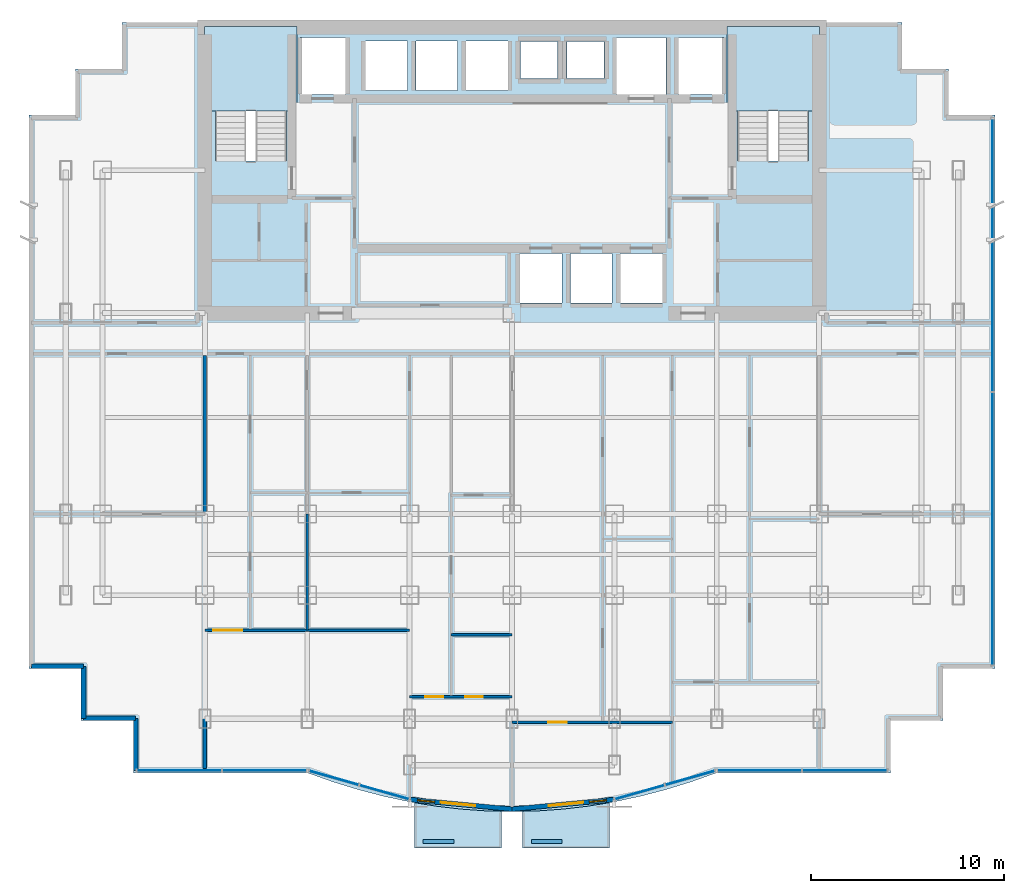
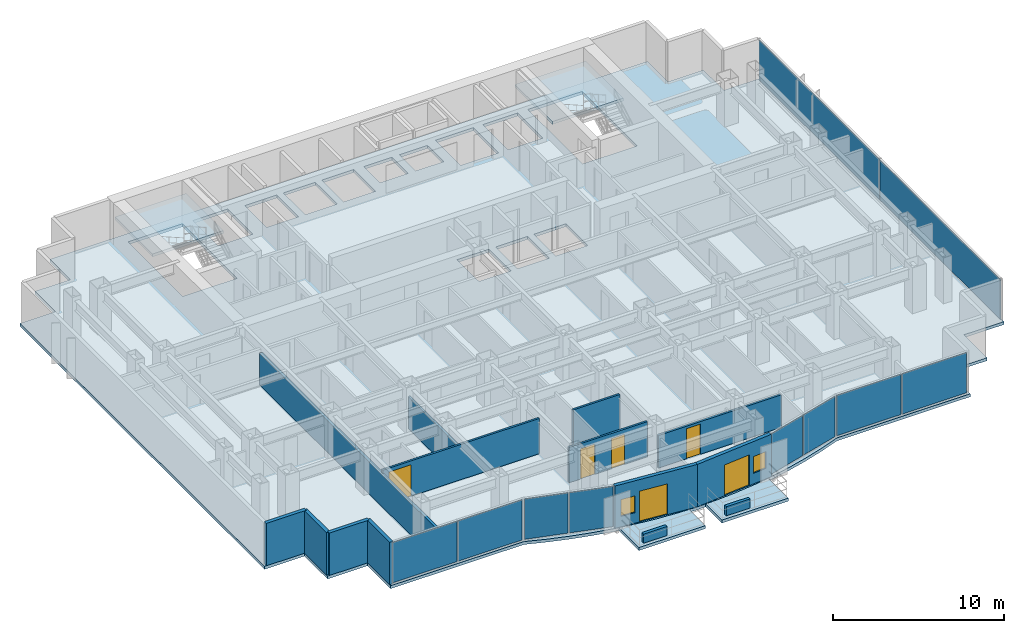
# One storey, part 6 of 11: 14 walls, 10 plates, 6 doors, 5 slabs, 2 windows, 8 openings, 7 elements without a shape of their own.
"""IFC4 building model written with IfcOpenShell, lengths in metres."""

from ifc_helpers import new_model, si_unit, direction, frame, frame_2d, origin, origin_2d, place, context, subcontext, project, spatial, polyline, rectangle, outline, extrude, source, transform, mapped, material, layer, layer_set, type_object, element, fill, aggregate, save


model = new_model("IFC4")

# Units and contexts
model_context = context("Model", 3, precision=1e-05, world=origin(), true_north=direction((0.0, 1.0)))
body_context = subcontext(model_context, "Body", "Model", "MODEL_VIEW")
ifc_project = project(units=[si_unit("LENGTHUNIT", "METRE"), si_unit("AREAUNIT", "SQUARE_METRE"), si_unit("VOLUMEUNIT", "CUBIC_METRE"), si_unit("PLANEANGLEUNIT", "RADIAN"), si_unit("MASSUNIT", "GRAM", prefix="KILO")], contexts=[model_context])

# Site, building, storey
site_placement = place(None, origin())
site = spatial("IfcSite", under=ifc_project, at=site_placement, CompositionType="ELEMENT")
building_placement = place(site_placement, origin())
building = spatial("IfcBuilding", under=site, at=building_placement, Name="Qianlan Lanfeng Residences", CompositionType="ELEMENT")
storey_placement = place(building_placement, frame((0.0, 0.0, 124.60009765625)))
storey = spatial("IfcBuildingStorey", under=building, at=storey_placement, Name="L34", CompositionType="ELEMENT", Elevation=124.60009765625)

# Slabs
ifc_material_1 = material(Name="Concrete C42", Category="concrete")
ifc_layer_1 = layer(ifc_material_1, 0.2099609375)
ifc_layer_set_1 = layer_set([ifc_layer_1], Name="Concrete C42")
slab_type_1 = type_object("IfcSlabType", Name="S-BAL-210", PredefinedType="FLOOR", material=ifc_layer_set_1)
slab_1_placement = place(storey_placement, frame((0.0, 0.0, -0.210205078125)))
element("IfcSlab", 1, at=slab_1_placement, inside=storey, type_object=slab_type_1, Name="L34 Planted Tree Balcony Slab SB-W", PredefinedType="FLOOR", context=body_context, shape_type="SweptSolid", body=[
    extrude(outline(polyline([(25.949951171875, -0.5869140625), (25.177001953125, -0.569091796875), (23.85498046875, -0.47509765625), (22.531982421875, -0.319091796875), (21.449951171875, -0.139892578125), (21.449951171875, -2.5), (25.949951171875, -2.5), (25.949951171875, -0.5869140625)])), origin(), (0.0, 0.0, 1.0), 0.210205078125),
])
slab_2_placement = place(storey_placement, frame((0.0, 0.0, -0.210205078125)))
element("IfcSlab", 2, at=slab_2_placement, inside=storey, type_object=slab_type_1, Name="L34 Planted Tree Balcony Slab SB-E", PredefinedType="FLOOR", context=body_context, shape_type="SweptSolid", body=[
    extrude(outline(polyline([(31.550048828125, -0.139892578125), (30.467041015625, -0.319091796875), (29.14501953125, -0.47509765625), (27.822021484375, -0.569091796875), (27.050048828125, -0.5869140625), (27.050048828125, -2.5), (31.550048828125, -2.5), (31.550048828125, -0.139892578125)])), origin(), (0.0, 0.0, 1.0), 0.210205078125),
])
ifc_layer_2 = layer(ifc_material_1, 0.2099609375)
ifc_layer_set_2 = layer_set([ifc_layer_2], Name="Concrete C42")
slab_type_2 = type_object("IfcSlabType", Name="S-FL-210", PredefinedType="FLOOR", material=ifc_layer_set_2)
slab_3_placement = place(storey_placement, frame((0.0, 0.0, -0.210205078125)))
element("IfcSlab", 3, at=slab_3_placement, inside=storey, type_object=slab_type_2, Name="L34 Structural Floor Slab", PredefinedType="FLOOR", context=body_context, shape_type="SweptSolid", body=[
    extrude(outline(polyline([(1.5, 6.800048828125), (4.199951171875, 6.800048828125), (4.199951171875, 4.10009765625), (6.89990234375, 4.10009765625), (6.89990234375, 1.39990234375), (15.919921875, 1.39990234375), (17.241943359375, 0.930908203125), (18.56494140625, 0.52490234375), (19.886962890625, 0.180908203125), (21.2099609375, -0.10009765625), (22.531982421875, -0.319091796875), (23.85498046875, -0.47509765625), (25.177001953125, -0.569091796875), (26.5, -0.60009765625), (27.822021484375, -0.569091796875), (29.14501953125, -0.47509765625), (30.467041015625, -0.319091796875), (31.7900390625, -0.10009765625), (33.112060546875, 0.180908203125), (34.43505859375, 0.52490234375), (35.758056640625, 0.930908203125), (37.080078125, 1.39990234375), (46.10009765625, 1.39990234375), (46.10009765625, 4.10009765625), (48.800048828125, 4.10009765625), (48.800048828125, 6.800048828125), (51.5, 6.800048828125), (51.5, 35.449951171875), (49.10009765625, 35.449951171875), (49.10009765625, 37.85009765625), (46.699951171875, 37.85009765625), (46.699951171875, 40.25), (6.300048828125, 40.25), (6.300048828125, 37.85009765625), (3.89990234375, 37.85009765625), (3.89990234375, 35.449951171875), (1.5, 35.449951171875), (1.5, 6.800048828125)]), holes=[polyline([(11.139892578125, 33.080078125), (11.139892578125, 39.5), (14.820068359375, 39.5), (14.820068359375, 33.080078125), (11.139892578125, 33.080078125)]), polyline([(38.179931640625, 33.080078125), (38.179931640625, 39.5), (41.860107421875, 39.5), (41.860107421875, 33.080078125), (38.179931640625, 33.080078125)]), polyline([(15.52001953125, 36.52001953125), (15.52001953125, 39.47998046875), (17.8798828125, 39.47998046875), (17.8798828125, 36.52001953125), (15.52001953125, 36.52001953125)]), polyline([(35.1201171875, 36.52001953125), (35.1201171875, 39.47998046875), (37.47998046875, 39.47998046875), (37.47998046875, 36.52001953125), (35.1201171875, 36.52001953125)]), polyline([(31.919921875, 36.52001953125), (31.919921875, 39.47998046875), (34.47998046875, 39.47998046875), (34.47998046875, 36.52001953125), (31.919921875, 36.52001953125)]), polyline([(26.919921875, 25.719970703125), (26.919921875, 28.280029296875), (29.080078125, 28.280029296875), (29.080078125, 25.719970703125), (26.919921875, 25.719970703125)]), polyline([(29.52001953125, 25.719970703125), (29.52001953125, 28.280029296875), (31.679931640625, 28.280029296875), (31.679931640625, 25.719970703125), (29.52001953125, 25.719970703125)]), polyline([(32.1201171875, 25.719970703125), (32.1201171875, 28.280029296875), (34.280029296875, 28.280029296875), (34.280029296875, 25.719970703125), (32.1201171875, 25.719970703125)]), polyline([(18.919921875, 36.719970703125), (18.919921875, 39.280029296875), (21.080078125, 39.280029296875), (21.080078125, 36.719970703125), (18.919921875, 36.719970703125)]), polyline([(21.52001953125, 36.719970703125), (21.52001953125, 39.280029296875), (23.679931640625, 39.280029296875), (23.679931640625, 36.719970703125), (21.52001953125, 36.719970703125)]), polyline([(24.1201171875, 36.719970703125), (24.1201171875, 39.280029296875), (26.280029296875, 39.280029296875), (26.280029296875, 36.719970703125), (24.1201171875, 36.719970703125)]), polyline([(26.949951171875, 37.35009765625), (26.949951171875, 39.25), (28.85009765625, 39.25), (28.85009765625, 37.35009765625), (26.949951171875, 37.35009765625)]), polyline([(29.35009765625, 37.35009765625), (29.35009765625, 39.25), (31.25, 39.25), (31.25, 37.35009765625), (29.35009765625, 37.35009765625)])]), origin(), (0.0, 0.0, 1.0), 0.210205078125),
])

# Stair, slab
stair_type = type_object("IfcStairType", Name="STR-MAIN", PredefinedType="HALF_TURN_STAIR", material=ifc_material_1)
stair_1_placement = place(storey_placement, origin())
stair_1 = element("IfcStair", 4, at=stair_1_placement, inside=storey, type_object=stair_type, Name="L34 Exit Stair ST-1", PredefinedType="HALF_TURN_STAIR")
ifc_layer_3 = layer(ifc_material_1, 0.179931640625)
ifc_layer_set_3 = layer_set([ifc_layer_3], Name="Concrete C42")
slab_type_3 = type_object("IfcSlabType", Name="S-LND-180", PredefinedType="LANDING", material=ifc_layer_set_3)
slab_4_placement = place(storey_placement, frame((0.0, 0.0, 1.449951171875)))
slab_4 = element("IfcSlab", 5, at=slab_4_placement, type_object=slab_type_3, Name="ST-1 landing 1", PredefinedType="LANDING", context=body_context, shape_type="SweptSolid", body=[
    extrude(outline(polyline([(10.580078125, 35.659912109375), (15.3798828125, 35.659912109375), (15.3798828125, 40.050048828125), (10.580078125, 40.050048828125), (10.580078125, 35.659912109375)])), origin(), (0.0, 0.0, 1.0), 0.199951171875),
])
aggregate(stair_1, [slab_4])

stair_2_placement = place(storey_placement, origin())
stair_2 = element("IfcStair", 6, at=stair_2_placement, inside=storey, type_object=stair_type, Name="L34 Exit Stair ST-2", PredefinedType="HALF_TURN_STAIR")
slab_5_placement = place(storey_placement, frame((0.0, 0.0, 1.449951171875)))
slab_5 = element("IfcSlab", 7, at=slab_5_placement, type_object=slab_type_3, Name="ST-2 landing 1", PredefinedType="LANDING", context=body_context, shape_type="SweptSolid", body=[
    extrude(outline(polyline([(37.6201171875, 35.659912109375), (42.419921875, 35.659912109375), (42.419921875, 40.050048828125), (37.6201171875, 40.050048828125), (37.6201171875, 35.659912109375)])), origin(), (0.0, 0.0, 1.0), 0.199951171875),
])
aggregate(stair_2, [slab_5])

# Curtain wall, plates
ifc_material_2 = material(Name="Anodised Bronze Aluminium 6063-T6", Category="aluminium")
ifc_layer_4 = layer(ifc_material_2, 0.219970703125)
ifc_layer_set_4 = layer_set([ifc_layer_4], Name="Anodised Bronze Aluminium 6063-T6")
curtain_wall_type = type_object("IfcCurtainWallType", Name="CW-03", PredefinedType="NOTDEFINED", material=ifc_layer_set_4)
curtain_wall_1_placement = place(storey_placement, origin())
curtain_wall_1 = element("IfcCurtainWall", 8, at=curtain_wall_1_placement, inside=storey, type_object=curtain_wall_type, Name="L34 Unitised Curtain Wall CWR-L34-01 (CW-03)", PredefinedType="NOTDEFINED")
ifc_material_3 = material(Name="Dark Bronze Tinted Insulated Glass", Category="glass")
ifc_layer_5 = layer(ifc_material_3, 0.0380859375)
ifc_layer_set_5 = layer_set([ifc_layer_5], Name="Dark Bronze Tinted Insulated Glass")
plate_type_1 = type_object("IfcPlateType", Name="PNL-GLZ-BRZ", PredefinedType="CURTAIN_PANEL", material=ifc_layer_set_5)
shared_shape_1 = source(origin(), body_context, "Body", "SweptSolid", [
    extrude(rectangle(XDim=4.342529296875, YDim=0.0380859375, at=origin_2d()), origin(), (0.0, 0.0, 1.0), 2.8720703125),
])
plate_1_placement = place(storey_placement, frame((9.270263671875, 1.52001953125, 0.078857421875), z_axis=(0.0, 0.0, 1.0), x_axis=(1.0, 0.0, 0.0)))
plate_1 = element("IfcPlate", 9, at=plate_1_placement, type_object=plate_type_1, Name="CWR-L34-01 Curtain Panel 1", PredefinedType="CURTAIN_PANEL", context=body_context, shape_type="MappedRepresentation", body=[
    mapped(shared_shape_1, transform((0.0, 0.0, 0.0), scale=1.0)),
])
plate_2_placement = place(storey_placement, frame((13.690673828125, 1.52001953125, 0.078857421875), z_axis=(0.0, 0.0, 1.0), x_axis=(1.0, 0.0, 0.0)))
plate_2 = element("IfcPlate", 10, at=plate_2_placement, type_object=plate_type_1, Name="CWR-L34-01 Curtain Panel 2", PredefinedType="CURTAIN_PANEL", context=body_context, shape_type="MappedRepresentation", body=[
    mapped(shared_shape_1, transform((0.0, 0.0, 0.0), scale=1.0)),
])
aggregate(curtain_wall_1, [plate_1, plate_2])

# Curtain wall, plate
curtain_wall_2_placement = place(storey_placement, origin())
curtain_wall_2 = element("IfcCurtainWall", 11, at=curtain_wall_2_placement, inside=storey, type_object=curtain_wall_type, Name="L34 Unitised Curtain Wall CWR-L34-04 (CW-03)", PredefinedType="NOTDEFINED")
plate_3_placement = place(storey_placement, frame((39.30908203125, 1.52001953125, 0.078857421875), z_axis=(0.0, 0.0, 1.0), x_axis=(1.0, 0.0, 0.0)))
plate_3 = element("IfcPlate", 12, at=plate_3_placement, type_object=plate_type_1, Name="CWR-L34-04 Curtain Panel 1", PredefinedType="CURTAIN_PANEL", context=body_context, shape_type="MappedRepresentation", body=[
    mapped(shared_shape_1, transform((0.0, 0.0, 0.0), scale=1.0)),
])

curtain_wall_3_placement = place(storey_placement, origin())
curtain_wall_3 = element("IfcCurtainWall", 13, at=curtain_wall_3_placement, inside=storey, type_object=curtain_wall_type, Name="L34 Unitised Curtain Wall CWR-L34-02 (CW-03)", PredefinedType="NOTDEFINED")
shared_shape_2 = source(origin(), body_context, "Body", "SweptSolid", [
    extrude(rectangle(XDim=2.632080078125, YDim=0.0380859375, at=origin_2d()), origin(), (0.0, 0.0, 1.0), 2.8720703125),
])
plate_4_placement = place(storey_placement, frame((17.282958984375, 1.138916015625, 0.078857421875), z_axis=(0.0, 0.0, 1.0), x_axis=(0.961989074302, -0.273087936247, 0.0)))
plate_4 = element("IfcPlate", 14, at=plate_4_placement, type_object=plate_type_1, Name="CWR-L34-02 Curtain Panel 1", PredefinedType="CURTAIN_PANEL", context=body_context, shape_type="MappedRepresentation", body=[
    mapped(shared_shape_2, transform((0.0, 0.0, 0.0), scale=1.0)),
])

# Curtain wall, plates
curtain_wall_4_placement = place(storey_placement, origin())
curtain_wall_4 = element("IfcCurtainWall", 15, at=curtain_wall_4_placement, inside=storey, type_object=curtain_wall_type, Name="L34 Unitised Curtain Wall CWR-L34-03 (CW-03)", PredefinedType="NOTDEFINED")
plate_5_placement = place(storey_placement, frame((33.110107421875, 0.39892578125, 0.078857421875), z_axis=(0.0, 0.0, 1.0), x_axis=(0.961989074302, 0.273087936247, 0.0)))
plate_5 = element("IfcPlate", 16, at=plate_5_placement, type_object=plate_type_1, Name="CWR-L34-03 Curtain Panel 1", PredefinedType="CURTAIN_PANEL", context=body_context, shape_type="MappedRepresentation", body=[
    mapped(shared_shape_2, transform((0.0, 0.0, 0.0), scale=1.0)),
])
plate_6_placement = place(storey_placement, frame((35.717041015625, 1.138916015625, 0.078857421875), z_axis=(0.0, 0.0, 1.0), x_axis=(0.961989074302, 0.273087936247, 0.0)))
plate_6 = element("IfcPlate", 17, at=plate_6_placement, type_object=plate_type_1, Name="CWR-L34-03 Curtain Panel 2", PredefinedType="CURTAIN_PANEL", context=body_context, shape_type="MappedRepresentation", body=[
    mapped(shared_shape_2, transform((0.0, 0.0, 0.0), scale=1.0)),
])
aggregate(curtain_wall_4, [plate_5, plate_6])

# Plate
ifc_material_4 = material(Name="Perforated Champagne Gold Aluminium Panel", Category="aluminium")
ifc_layer_6 = layer(ifc_material_4, 0.0400390625)
ifc_layer_set_6 = layer_set([ifc_layer_6], Name="Perforated Champagne Gold Aluminium Panel")
plate_type_2 = type_object("IfcPlateType", Name="PNL-PRF-GLD", PredefinedType="CURTAIN_PANEL", material=ifc_layer_set_6)
shared_shape_3 = source(origin(), body_context, "Body", "SweptSolid", [
    extrude(rectangle(XDim=2.632080078125, YDim=0.0400390625, at=origin_2d()), origin(), (0.0, 0.0, 1.0), 2.8720703125),
])
plate_7_placement = place(storey_placement, frame((19.889892578125, 0.39892578125, 0.078857421875), z_axis=(0.0, 0.0, 1.0), x_axis=(0.961989074302, -0.273087936247, 0.0)))
plate_7 = element("IfcPlate", 18, at=plate_7_placement, type_object=plate_type_2, Name="CWR-L34-02 Curtain Panel 2", PredefinedType="CURTAIN_PANEL", context=body_context, shape_type="MappedRepresentation", body=[
    mapped(shared_shape_3, transform((0.0, 0.0, 0.0), scale=1.0)),
])

aggregate(curtain_wall_3, [plate_4, plate_7])

shared_shape_4 = source(origin(), body_context, "Body", "SweptSolid", [
    extrude(rectangle(XDim=4.342529296875, YDim=0.0400390625, at=origin_2d()), origin(), (0.0, 0.0, 1.0), 2.8720703125),
])
plate_8_placement = place(storey_placement, frame((43.729736328125, 1.52001953125, 0.078857421875), z_axis=(0.0, 0.0, 1.0), x_axis=(1.0, 0.0, 0.0)))
plate_8 = element("IfcPlate", 19, at=plate_8_placement, type_object=plate_type_2, Name="CWR-L34-04 Curtain Panel 2", PredefinedType="CURTAIN_PANEL", context=body_context, shape_type="MappedRepresentation", body=[
    mapped(shared_shape_4, transform((0.0, 0.0, 0.0), scale=1.0)),
])

aggregate(curtain_wall_2, [plate_3, plate_8])

# Curtain wall, plates
curtain_wall_5_placement = place(storey_placement, origin())
curtain_wall_5 = element("IfcCurtainWall", 20, at=curtain_wall_5_placement, inside=storey, type_object=curtain_wall_type, Name="L34 Unitised Curtain Wall CWR-L34-05 (CW-03)", PredefinedType="NOTDEFINED")
shared_shape_5 = source(origin(), body_context, "Body", "SweptSolid", [
    extrude(rectangle(XDim=14.0869140625, YDim=0.0380859375, at=origin_2d()), origin(), (0.0, 0.0, 1.0), 2.8720703125),
])
plate_9_placement = place(storey_placement, frame((51.3798828125, 14.04248046875, 0.078857421875), z_axis=(0.0, 0.0, 1.0), x_axis=(0.0, 1.0, 0.0)))
plate_9 = element("IfcPlate", 21, at=plate_9_placement, type_object=plate_type_1, Name="CWR-L34-05 Curtain Panel 1", PredefinedType="CURTAIN_PANEL", context=body_context, shape_type="MappedRepresentation", body=[
    mapped(shared_shape_5, transform((0.0, 0.0, 0.0), scale=1.0)),
])
plate_10_placement = place(storey_placement, frame((51.3798828125, 28.20751953125, 0.078857421875), z_axis=(0.0, 0.0, 1.0), x_axis=(0.0, 1.0, 0.0)))
plate_10 = element("IfcPlate", 22, at=plate_10_placement, type_object=plate_type_1, Name="CWR-L34-05 Curtain Panel 2", PredefinedType="CURTAIN_PANEL", context=body_context, shape_type="MappedRepresentation", body=[
    mapped(shared_shape_5, transform((0.0, 0.0, 0.0), scale=1.0)),
])
aggregate(curtain_wall_5, [plate_9, plate_10])

# Walls
ifc_layer_7 = layer(ifc_material_1, 0.239990234375)
ifc_layer_set_7 = layer_set([ifc_layer_7], Name="Concrete C42")
wall_type_1 = type_object("IfcWallType", Name="EW-240", PredefinedType="SOLIDWALL", material=ifc_layer_set_7)
for number, where, z_axis, x_axis, name in (
    (23, (1.6201171875, 6.919921875, 0.0), (0.0, 0.0, 1.0), (1.0, 0.0, 0.0), "L34 Exterior Facade Spandrel Wall 1"),
    (24, (4.320068359375, 6.919921875, 0.0), (0.0, 0.0, 1.0), (0.0, -1.0, 0.0), "L34 Exterior Facade Spandrel Wall 2"),
    (25, (4.320068359375, 4.219970703125, 0.0), (0.0, 0.0, 1.0), (1.0, 0.0, 0.0), "L34 Exterior Facade Spandrel Wall 3"),
    (26, (7.02001953125, 4.219970703125, 0.0), (0.0, 0.0, 1.0), (0.0, -1.0, 0.0), "L34 Exterior Facade Spandrel Wall 4"),
):
    element("IfcWall", number, at=place(storey_placement, frame(where, z_axis=z_axis, x_axis=x_axis)), inside=storey, type_object=wall_type_1, Name=name, PredefinedType="SOLIDWALL", context=body_context, shape_type="SweptSolid", body=[
        extrude(rectangle(XDim=2.699951171875, YDim=0.239990234375, at=frame_2d((1.35009765625, 0.0))), origin(), (0.0, 0.0, 1.0), 3.02978515625),
    ])

# Wall, openings, door, window
wall_1_placement = place(storey_placement, frame((21.23193359375, 0.01806640625, 0.0), z_axis=(0.0, 0.0, 1.0), x_axis=(0.995560760834, -0.094121046997, 0.0)))
wall_1 = element("IfcWall", 27, at=wall_1_placement, inside=storey, type_object=wall_type_1, Name="L34 Terrace/Balcony Access Exterior Wall 5", PredefinedType="SOLIDWALL", context=body_context, shape_type="SweptSolid", body=[
    extrude(rectangle(XDim=5.29150390625, YDim=0.239990234375, at=frame_2d((2.645751953125, 0.0))), origin(), (0.0, 0.0, 1.0), 3.02978515625),
])
opening_1_placement = place(wall_1_placement, frame((1.576904296875, 0.0, 0.0)))
opening_1 = element("IfcOpeningElement", 28, at=opening_1_placement, cuts=wall_1, Name="Opening L34-D-SB-W", PredefinedType="OPENING", context=body_context, shape_type="SweptSolid", body=[
    extrude(rectangle(XDim=1.800048828125, YDim=2.199951171875, at=frame_2d((0.89990234375, 1.10009765625))), frame((0.0, 0.1298828125, 0.0), z_axis=(0.0, -1.0, 0.0), x_axis=(1.0, 0.0, 0.0)), (0.0, 0.0, 1.0), 0.260009765625),
])
opening_2_placement = place(wall_1_placement, frame((0.37890625, 0.0, 0.75)))
opening_2 = element("IfcOpeningElement", 29, at=opening_2_placement, cuts=wall_1, Name="Opening W-04", PredefinedType="OPENING", context=body_context, shape_type="SweptSolid", body=[
    extrude(rectangle(XDim=0.89990234375, YDim=1.199951171875, at=frame_2d((0.449951171875, 0.60009765625))), frame((0.0, 0.1298828125, 0.0), z_axis=(0.0, -1.0, 0.0), x_axis=(1.0, 0.0, 0.0)), (0.0, 0.0, 1.0), 0.260009765625),
])
ifc_material_5 = material(Name="Anodised Bronze Aluminium Framed Glass", Category="aluminium")
door_type_1 = type_object("IfcDoorType", Name="DT-BAL1", OperationType="NOTDEFINED", PredefinedType="DOOR", material=ifc_material_5)
door_1_placement = place(opening_1_placement, frame((1.800048828125, 0.0, 0.0), z_axis=(0.0, 0.0, 1.0), x_axis=(-1.0, 0.0, 0.0)))
door_1 = element("IfcDoor", 30, at=door_1_placement, inside=storey, type_object=door_type_1, Name="L34 Exterior Access Door SB-W", OperationType="DOUBLE_DOOR_SLIDING", OverallHeight=2.199951171875, OverallWidth=1.800048828125, PredefinedType="DOOR", context=body_context, shape_type="SweptSolid", body=[
    extrude(rectangle(XDim=1.800048828125, YDim=2.199951171875, at=frame_2d((0.89990234375, 1.10009765625))), frame((0.0, 0.02490234375, 0.0), z_axis=(0.0, -1.0, 0.0), x_axis=(1.0, 0.0, 0.0)), (0.0, 0.0, 1.0), 0.050048828125),
])
fill(opening_1, door_1)
ifc_material_6 = material(Name="Anodised Bronze Aluminium Framed Double Glazing", Category="aluminium")
window_type = type_object("IfcWindowType", Name="W-04", PartitioningType="SINGLE_PANEL", PredefinedType="WINDOW", material=ifc_material_6)
window_1_placement = place(opening_2_placement, origin())
window_1 = element("IfcWindow", 31, at=window_1_placement, inside=storey, type_object=window_type, Name="L34 Exterior Window W-03", OverallHeight=1.199951171875, OverallWidth=0.89990234375, PartitioningType="SINGLE_PANEL", PredefinedType="WINDOW", context=body_context, shape_type="SweptSolid", body=[
    extrude(rectangle(XDim=0.89990234375, YDim=1.199951171875, at=frame_2d((0.449951171875, 0.60009765625))), frame((0.0, 0.030029296875, 0.0), z_axis=(0.0, -1.0, 0.0), x_axis=(1.0, 0.0, 0.0)), (0.0, 0.0, 1.0), 0.06005859375),
])
fill(opening_2, window_1)

wall_2_placement = place(storey_placement, frame((26.5, -0.47998046875, 0.0), z_axis=(0.0, 0.0, 1.0), x_axis=(0.995560760834, 0.094121046997, 0.0)))
wall_2 = element("IfcWall", 32, at=wall_2_placement, inside=storey, type_object=wall_type_1, Name="L34 Terrace/Balcony Access Exterior Wall 6", PredefinedType="SOLIDWALL", context=body_context, shape_type="SweptSolid", body=[
    extrude(rectangle(XDim=5.29150390625, YDim=0.239990234375, at=frame_2d((2.645751953125, 0.0))), origin(), (0.0, 0.0, 1.0), 3.02978515625),
])
opening_3_placement = place(wall_2_placement, frame((1.9140625, 0.0, 0.0)))
opening_3 = element("IfcOpeningElement", 33, at=opening_3_placement, cuts=wall_2, Name="Opening L34-D-SB-E", PredefinedType="OPENING", context=body_context, shape_type="SweptSolid", body=[
    extrude(rectangle(XDim=1.800048828125, YDim=2.199951171875, at=frame_2d((0.89990234375, 1.10009765625))), frame((0.0, 0.1298828125, 0.0), z_axis=(0.0, -1.0, 0.0), x_axis=(1.0, 0.0, 0.0)), (0.0, 0.0, 1.0), 0.260009765625),
])
opening_4_placement = place(wall_2_placement, frame((4.012939453125, 0.0, 0.75)))
opening_4 = element("IfcOpeningElement", 34, at=opening_4_placement, cuts=wall_2, Name="Opening W-04", PredefinedType="OPENING", context=body_context, shape_type="SweptSolid", body=[
    extrude(rectangle(XDim=0.89990234375, YDim=1.199951171875, at=frame_2d((0.449951171875, 0.60009765625))), frame((0.0, 0.1298828125, 0.0), z_axis=(0.0, -1.0, 0.0), x_axis=(1.0, 0.0, 0.0)), (0.0, 0.0, 1.0), 0.260009765625),
])
door_2_placement = place(opening_3_placement, frame((1.800048828125, 0.0, 0.0), z_axis=(0.0, 0.0, 1.0), x_axis=(-1.0, 0.0, 0.0)))
door_2 = element("IfcDoor", 35, at=door_2_placement, inside=storey, type_object=door_type_1, Name="L34 Exterior Access Door SB-E", OperationType="DOUBLE_DOOR_SLIDING", OverallHeight=2.199951171875, OverallWidth=1.800048828125, PredefinedType="DOOR", context=body_context, shape_type="SweptSolid", body=[
    extrude(rectangle(XDim=1.800048828125, YDim=2.199951171875, at=frame_2d((0.89990234375, 1.10009765625))), frame((0.0, 0.02490234375, 0.0), z_axis=(0.0, -1.0, 0.0), x_axis=(1.0, 0.0, 0.0)), (0.0, 0.0, 1.0), 0.050048828125),
])
fill(opening_3, door_2)
window_2_placement = place(opening_4_placement, origin())
window_2 = element("IfcWindow", 36, at=window_2_placement, inside=storey, type_object=window_type, Name="L34 Exterior Window W-03", OverallHeight=1.199951171875, OverallWidth=0.89990234375, PartitioningType="SINGLE_PANEL", PredefinedType="WINDOW", context=body_context, shape_type="SweptSolid", body=[
    extrude(rectangle(XDim=0.89990234375, YDim=1.199951171875, at=frame_2d((0.449951171875, 0.60009765625))), frame((0.0, 0.030029296875, 0.0), z_axis=(0.0, -1.0, 0.0), x_axis=(1.0, 0.0, 0.0)), (0.0, 0.0, 1.0), 0.06005859375),
])
fill(opening_4, window_2)

# Walls
ifc_layer_8 = layer(ifc_material_1, 0.199951171875)
ifc_layer_set_8 = layer_set([ifc_layer_8], Name="Concrete C42")
wall_type_2 = type_object("IfcWallType", Name="PL-TREE-200", PredefinedType="PARAPET", material=ifc_layer_set_8)
for number, where, z_axis, x_axis, name in (
    (37, (21.89990234375, -2.14990234375, 0.0), (0.0, 0.0, 1.0), (1.0, 0.0, 0.0), "L34 Balcony Tree Planter Curb SB-W"),
    (38, (27.5, -2.14990234375, 0.0), (0.0, 0.0, 1.0), (1.0, 0.0, 0.0), "L34 Balcony Tree Planter Curb SB-E"),
):
    element("IfcWall", number, at=place(storey_placement, frame(where, z_axis=z_axis, x_axis=x_axis)), inside=storey, type_object=wall_type_2, Name=name, PredefinedType="PARAPET", context=body_context, shape_type="SweptSolid", body=[
        extrude(rectangle(XDim=1.60009765625, YDim=0.199951171875, at=frame_2d((0.800048828125, 0.0))), origin(), (0.0, 0.0, 1.0), 0.64990234375),
    ])
ifc_material_7 = material(Name="Moisture-Resistant Gypsum Partition 135 mm")
ifc_layer_9 = layer(ifc_material_7, 0.135009765625)
ifc_layer_set_9 = layer_set([ifc_layer_9], Name="Moisture-Resistant Gypsum Partition 135 mm")
wall_type_3 = type_object("IfcWallType", Name="PW-135", PredefinedType="PARTITIONING", material=ifc_layer_set_9)
wall_3_placement = place(storey_placement, frame((15.89990234375, 8.7900390625, 0.0), z_axis=(0.0, 0.0, 1.0), x_axis=(0.0, 1.0, 0.0)))
element("IfcWall", 39, at=wall_3_placement, inside=storey, type_object=wall_type_3, Name="L34 U01 Mid Column Wall", PredefinedType="PARTITIONING", context=body_context, shape_type="SweptSolid", body=[
    extrude(rectangle(XDim=6.010009765625, YDim=0.135009765625, at=frame_2d((3.0048828125, 0.0))), origin(), (0.0, 0.0, 1.0), 2.27490234375),
])

# Wall, opening, door
wall_4_placement = place(storey_placement, frame((10.60009765625, 8.7900390625, 0.0), z_axis=(0.0, 0.0, 1.0), x_axis=(1.0, 0.0, 0.0)))
wall_4 = element("IfcWall", 40, at=wall_4_placement, inside=storey, type_object=wall_type_3, Name="L34 U01 Grand Living North Wall", PredefinedType="PARTITIONING", context=body_context, shape_type="SweptSolid", body=[
    extrude(rectangle(XDim=10.599853515625, YDim=0.135009765625, at=frame_2d((5.2998046875, 0.0))), origin(), (0.0, 0.0, 1.0), 2.52001953125),
])
opening_5_placement = place(wall_4_placement, frame((0.425048828125, 0.0, 0.0)))
opening_5 = element("IfcOpeningElement", 41, at=opening_5_placement, cuts=wall_4, Name="Opening L34-D22", PredefinedType="OPENING", context=body_context, shape_type="SweptSolid", body=[
    extrude(rectangle(XDim=1.5, YDim=2.25, at=frame_2d((0.75, 1.125))), frame((0.0, 0.07763671875, 0.0), z_axis=(0.0, -1.0, 0.0), x_axis=(1.0, 0.0, 0.0)), (0.0, 0.0, 1.0), 0.155029296875),
])
ifc_material_8 = material(Name="Timber Veneer Acoustic Fire Door", Category="wood")
door_type_2 = type_object("IfcDoorType", Name="DT-COR1", OperationType="NOTDEFINED", PredefinedType="DOOR", material=ifc_material_8)
door_3_placement = place(opening_5_placement, origin())
door_3 = element("IfcDoor", 42, at=door_3_placement, inside=storey, type_object=door_type_2, Name="L34 U01 Grand Living Door L34-D22 (DT-COR1)", OperationType="DOUBLE_DOOR_SINGLE_SWING", OverallHeight=2.25, OverallWidth=1.5, PredefinedType="DOOR", context=body_context, shape_type="SweptSolid", body=[
    extrude(rectangle(XDim=1.5, YDim=2.25, at=frame_2d((0.75, 1.125))), frame((0.0, 0.02490234375, 0.0), z_axis=(0.0, -1.0, 0.0), x_axis=(1.0, 0.0, 0.0)), (0.0, 0.0, 1.0), 0.050048828125),
])
fill(opening_5, door_3)

# Wall, openings, doors
wall_5_placement = place(storey_placement, frame((21.199951171875, 5.346923828125, 0.0), z_axis=(0.0, 0.0, 1.0), x_axis=(1.0, 0.0, 0.0)))
wall_5 = element("IfcWall", 43, at=wall_5_placement, inside=storey, type_object=wall_type_3, Name="L34 U01 Master Bedroom North Wall", PredefinedType="PARTITIONING", context=body_context, shape_type="SweptSolid", body=[
    extrude(rectangle(XDim=5.300048828125, YDim=0.135009765625, at=frame_2d((2.64990234375, 0.0))), origin(), (0.0, 0.0, 1.0), 2.52001953125),
])
opening_6_placement = place(wall_5_placement, frame((0.800048828125, 0.0, 0.0)))
opening_6 = element("IfcOpeningElement", 44, at=opening_6_placement, cuts=wall_5, Name="Opening L34-D26", PredefinedType="OPENING", context=body_context, shape_type="SweptSolid", body=[
    extrude(rectangle(XDim=0.949951171875, YDim=2.14990234375, at=frame_2d((0.47509765625, 1.074951171875))), frame((0.0, 0.07763671875, 0.0), z_axis=(0.0, -1.0, 0.0), x_axis=(1.0, 0.0, 0.0)), (0.0, 0.0, 1.0), 0.155029296875),
])
opening_7_placement = place(wall_5_placement, frame((2.875, 0.0, 0.0)))
opening_7 = element("IfcOpeningElement", 45, at=opening_7_placement, cuts=wall_5, Name="Opening L34-D27", PredefinedType="OPENING", context=body_context, shape_type="SweptSolid", body=[
    extrude(rectangle(XDim=0.89990234375, YDim=2.14990234375, at=frame_2d((0.449951171875, 1.074951171875))), frame((0.0, 0.07763671875, 0.0), z_axis=(0.0, -1.0, 0.0), x_axis=(1.0, 0.0, 0.0)), (0.0, 0.0, 1.0), 0.155029296875),
])
ifc_material_9 = material(Name="Painted Solid-Core Timber Leaf", Category="wood")
door_type_3 = type_object("IfcDoorType", Name="DT-BED", OperationType="NOTDEFINED", PredefinedType="DOOR", material=ifc_material_9)
door_4_placement = place(opening_6_placement, origin())
door_4 = element("IfcDoor", 46, at=door_4_placement, inside=storey, type_object=door_type_3, Name="L34 U01 Master Bedroom Door L34-D26 (DT-BED)", OperationType="SINGLE_SWING_LEFT", OverallHeight=2.14990234375, OverallWidth=0.949951171875, PredefinedType="DOOR", context=body_context, shape_type="SweptSolid", body=[
    extrude(rectangle(XDim=0.949951171875, YDim=2.14990234375, at=frame_2d((0.47509765625, 1.074951171875))), frame((0.0, 0.02490234375, 0.0), z_axis=(0.0, -1.0, 0.0), x_axis=(1.0, 0.0, 0.0)), (0.0, 0.0, 1.0), 0.050048828125),
])
fill(opening_6, door_4)
ifc_material_10 = material(Name="Moisture-Resistant Timber Leaf", Category="wood")
door_type_4 = type_object("IfcDoorType", Name="DT-WC", OperationType="NOTDEFINED", PredefinedType="DOOR", material=ifc_material_10)
door_5_placement = place(opening_7_placement, origin())
door_5 = element("IfcDoor", 47, at=door_5_placement, inside=storey, type_object=door_type_4, Name="L34 U01 En-Suite Bathroom Door L34-D27 (DT-WC)", OperationType="SINGLE_SWING_RIGHT", OverallHeight=2.14990234375, OverallWidth=0.89990234375, PredefinedType="DOOR", context=body_context, shape_type="SweptSolid", body=[
    extrude(rectangle(XDim=0.89990234375, YDim=2.14990234375, at=frame_2d((0.449951171875, 1.074951171875))), frame((0.0, 0.02490234375, 0.0), z_axis=(0.0, -1.0, 0.0), x_axis=(1.0, 0.0, 0.0)), (0.0, 0.0, 1.0), 0.050048828125),
])
fill(opening_7, door_5)

# Wall
wall_6_placement = place(storey_placement, frame((23.35009765625, 8.547119140625, 0.0), z_axis=(0.0, 0.0, 1.0), x_axis=(1.0, 0.0, 0.0)))
element("IfcWall", 48, at=wall_6_placement, inside=storey, type_object=wall_type_3, Name="L34 U01 En-Suite North Wall", PredefinedType="PARTITIONING", context=body_context, shape_type="SweptSolid", body=[
    extrude(rectangle(XDim=3.14990234375, YDim=0.135009765625, at=frame_2d((1.574951171875, 0.0))), origin(), (0.0, 0.0, 1.0), 2.52001953125),
])

# Wall, opening, door
wall_7_placement = place(storey_placement, frame((26.5, 4.030029296875, 0.0), z_axis=(0.0, 0.0, 1.0), x_axis=(1.0, 0.0, 0.0)))
wall_7 = element("IfcWall", 49, at=wall_7_placement, inside=storey, type_object=wall_type_3, Name="L34 U01 Bedroom 3 North Wall", PredefinedType="PARTITIONING", context=body_context, shape_type="SweptSolid", body=[
    extrude(rectangle(XDim=8.300048828125, YDim=0.135009765625, at=frame_2d((4.14990234375, 0.0))), origin(), (0.0, 0.0, 1.0), 2.324951171875),
])
opening_8_placement = place(wall_7_placement, frame((1.875, 0.0, 0.0)))
opening_8 = element("IfcOpeningElement", 50, at=opening_8_placement, cuts=wall_7, Name="Opening L34-D30", PredefinedType="OPENING", context=body_context, shape_type="SweptSolid", body=[
    extrude(rectangle(XDim=0.949951171875, YDim=2.14990234375, at=frame_2d((0.47509765625, 1.074951171875))), frame((0.0, 0.07763671875, 0.0), z_axis=(0.0, -1.0, 0.0), x_axis=(1.0, 0.0, 0.0)), (0.0, 0.0, 1.0), 0.155029296875),
])
door_6_placement = place(opening_8_placement, origin())
door_6 = element("IfcDoor", 51, at=door_6_placement, inside=storey, type_object=door_type_3, Name="L34 U01 Bedroom 3 Door L34-D30 (DT-BED)", OperationType="SINGLE_SWING_LEFT", OverallHeight=2.14990234375, OverallWidth=0.949951171875, PredefinedType="DOOR", context=body_context, shape_type="SweptSolid", body=[
    extrude(rectangle(XDim=0.949951171875, YDim=2.14990234375, at=frame_2d((0.47509765625, 1.074951171875))), frame((0.0, 0.02490234375, 0.0), z_axis=(0.0, -1.0, 0.0), x_axis=(1.0, 0.0, 0.0)), (0.0, 0.0, 1.0), 0.050048828125),
])
fill(opening_8, door_6)

# Wall
ifc_material_11 = material(Name="Double-Layer Acoustic Gypsum Stud Wall 180 mm")
ifc_layer_10 = layer(ifc_material_11, 0.179931640625)
ifc_layer_set_10 = layer_set([ifc_layer_10], Name="Double-Layer Acoustic Gypsum Stud Wall 180 mm")
wall_type_4 = type_object("IfcWallType", Name="PW-180", PredefinedType="PARTITIONING", material=ifc_layer_set_10)
wall_8_placement = place(storey_placement, frame((10.60009765625, 1.6201171875, 0.0), z_axis=(0.0, 0.0, 1.0), x_axis=(0.0, 1.0, 0.0)))
element("IfcWall", 52, at=wall_8_placement, inside=storey, type_object=wall_type_4, Name="L34 Wing Boundary Party Wall W0", PredefinedType="PARTITIONING", context=body_context, shape_type="SweptSolid", body=[
    extrude(rectangle(XDim=21.3798828125, YDim=0.179931640625, at=frame_2d((10.68994140625, 0.0))), origin(), (0.0, 0.0, 1.0), 2.27490234375),
])

save(model, "model.ifc")
